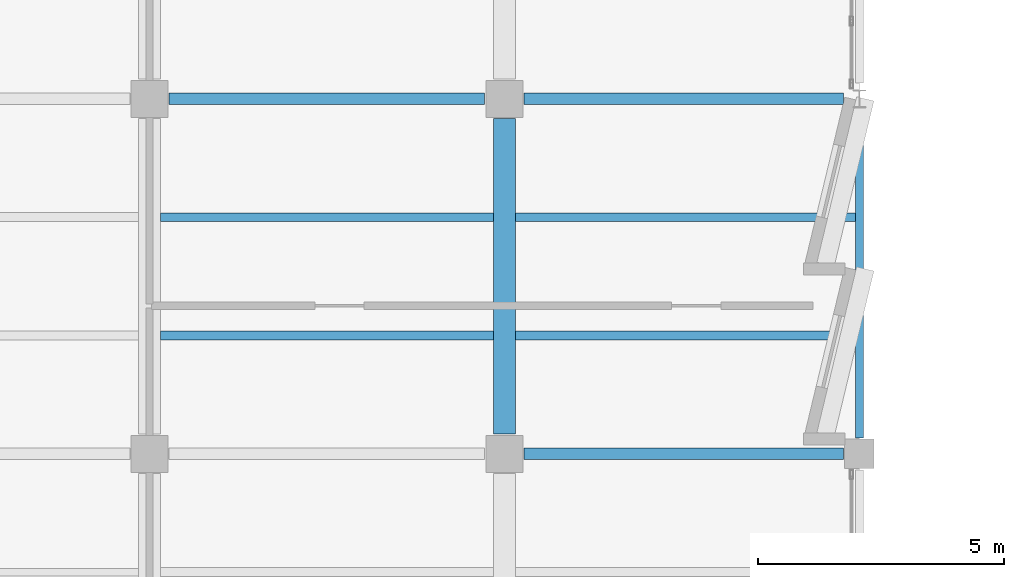
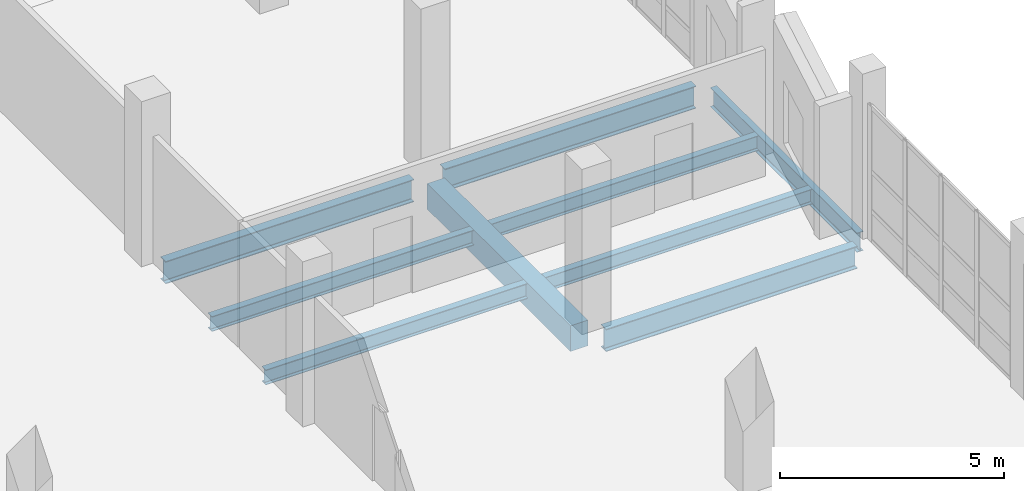
# One storey, part 43 of 123: 9 beams.
"""IFC4 building model written with IfcOpenShell, lengths in metres."""

from ifc_helpers import new_model, si_unit, direction, frame, origin, origin_2d, place, context, subcontext, project, spatial, rectangle, i_section, extrude, material, material_profile, profile_set, type_object, element, save


model = new_model("IFC4")

# Units and contexts
model_context = context("Model", 3, precision=1e-05, world=origin(), true_north=direction((0.0, 1.0)))
body_context = subcontext(model_context, "Body", "Model", "MODEL_VIEW")
ifc_project = project(units=[si_unit("LENGTHUNIT", "METRE"), si_unit("AREAUNIT", "SQUARE_METRE"), si_unit("VOLUMEUNIT", "CUBIC_METRE"), si_unit("PLANEANGLEUNIT", "RADIAN"), si_unit("MASSUNIT", "GRAM", prefix="KILO")], contexts=[model_context])

# Site, building, storey
site_placement = place(None, origin())
site = spatial("IfcSite", under=ifc_project, at=site_placement, CompositionType="ELEMENT")
building_placement = place(site_placement, origin())
building = spatial("IfcBuilding", under=site, at=building_placement, Name="Kalmorath City Hall", CompositionType="ELEMENT")
storey_placement = place(building_placement, frame((0.0, 0.0, 10.199951171875)))
storey = spatial("IfcBuildingStorey", under=building, at=storey_placement, Name="L02", CompositionType="ELEMENT", Elevation=10.199951171875)

# Beams
ifc_material_1 = material(Name="Concrete C40/50", Category="concrete")
ifc_material_profile_1 = material_profile(ifc_material_1, rectangle(XDim=0.449951171875, YDim=0.699951171875, at=origin_2d()), Name="RC-BM-450X700")
ifc_profile_set_1 = profile_set([ifc_material_profile_1], Name="Concrete C40/50")
beam_type_1 = type_object("IfcBeamType", Name="Concrete floor beam 450x700", PredefinedType="BEAM", material=ifc_profile_set_1)
beam_1_placement = place(storey_placement, frame((21.60009765625, 72.39990234375, -0.634033203125), z_axis=(0.0, 1.0, 0.0), x_axis=(-1.0, 0.0, 0.0)))
element("IfcBeam", 1, at=beam_1_placement, inside=storey, type_object=beam_type_1, Name="L02 girder CB4 Y4/11-12", PredefinedType="BEAM", context=body_context, shape_type="SweptSolid", body=[
    extrude(rectangle(XDim=0.449951171875, YDim=0.699951171875, at=origin_2d()), origin(), (0.0, 0.0, 1.0), 6.400146484375),
])
ifc_material_2 = material(Name="Steel ASTM A992 Grade 50", Category="steel")
ifc_material_profile_2 = material_profile(ifc_material_2, i_section(OverallWidth=0.177001953125, OverallDepth=0.403076171875, WebThickness=0.007568359375, FlangeThickness=0.010986328125, FilletRadius=0.012939453125, at=origin_2d()), Name="W16X36")
ifc_profile_set_2 = profile_set([ifc_material_profile_2], Name="Steel ASTM A992 Grade 50")
beam_type_2 = type_object("IfcBeamType", Name="Steel composite joist W16X36", PredefinedType="JOIST", material=ifc_profile_set_2)
for number, where, z_axis, x_axis, name in (
    (2, (21.824951171875, 74.39990234375, -0.4853515625), (1.0, 0.0, 0.0), (0.0, 1.0, 0.0), "L02 joist SJ7 4.11.1"),
    (3, (21.824951171875, 76.800048828125, -0.4853515625), (1.0, 0.0, 0.0), (0.0, 1.0, 0.0), "L02 joist SJ7 4.11.2"),
):
    element("IfcBeam", number, at=place(storey_placement, frame(where, z_axis=z_axis, x_axis=x_axis)), inside=storey, type_object=beam_type_2, Name=name, PredefinedType="JOIST", context=body_context, shape_type="SweptSolid", body=[
        extrude(i_section(OverallWidth=0.177001953125, OverallDepth=0.403076171875, WebThickness=0.007568359375, FlangeThickness=0.010986328125, FilletRadius=0.012939453125, at=origin_2d()), origin(), (0.0, 0.0, 1.0), 6.892578125),
    ])
ifc_material_3 = material(Name="Steel ASTM A992 Grade 50", Category="steel")
ifc_material_profile_3 = material_profile(ifc_material_3, i_section(OverallWidth=0.178955078125, OverallDepth=0.409912109375, WebThickness=0.0087890625, FlangeThickness=0.014404296875, FilletRadius=0.012939453125, at=origin_2d()), Name="W16X45")
ifc_profile_set_3 = profile_set([ifc_material_profile_3], Name="Steel ASTM A992 Grade 50")
beam_type_3 = type_object("IfcBeamType", Name="Steel composite joist W16X45", PredefinedType="JOIST", material=ifc_profile_set_3)
for number, where, z_axis, x_axis, name in (
    (4, (14.625, 74.39990234375, -0.489013671875), (1.0, 0.0, 0.0), (0.0, 1.0, 0.0), "L02 joist SJ6 3.11.1"),
    (5, (14.625, 76.800048828125, -0.489013671875), (1.0, 0.0, 0.0), (0.0, 1.0, 0.0), "L02 joist SJ6 3.11.2"),
):
    element("IfcBeam", number, at=place(storey_placement, frame(where, z_axis=z_axis, x_axis=x_axis)), inside=storey, type_object=beam_type_3, Name=name, PredefinedType="JOIST", context=body_context, shape_type="SweptSolid", body=[
        extrude(i_section(OverallWidth=0.178955078125, OverallDepth=0.409912109375, WebThickness=0.0087890625, FlangeThickness=0.014404296875, FilletRadius=0.012939453125, at=origin_2d()), origin(), (0.0, 0.0, 1.0), 6.75),
    ])
ifc_material_4 = material(Name="Steel ASTM A992 Grade 50", Category="steel")
ifc_material_profile_4 = material_profile(ifc_material_4, i_section(OverallWidth=0.22900390625, OverallDepth=0.612060546875, WebThickness=0.011962890625, FlangeThickness=0.01953125, FilletRadius=0.01611328125, at=origin_2d()), Name="W24X84")
ifc_profile_set_4 = profile_set([ifc_material_profile_4], Name="Steel ASTM A992 Grade 50")
beam_type_4 = type_object("IfcBeamType", Name="Steel floor girder W24X84", PredefinedType="BEAM", material=ifc_profile_set_4)
beam_2_placement = place(storey_placement, frame((22.0, 72.0, -0.58984375), z_axis=(1.0, 0.0, 0.0), x_axis=(0.0, 1.0, 0.0)))
element("IfcBeam", 6, at=beam_2_placement, inside=storey, type_object=beam_type_4, Name="L02 girder SG8 X4-5/11", PredefinedType="BEAM", context=body_context, shape_type="SweptSolid", body=[
    extrude(i_section(OverallWidth=0.22900390625, OverallDepth=0.612060546875, WebThickness=0.011962890625, FlangeThickness=0.01953125, FilletRadius=0.01611328125, at=origin_2d()), origin(), (0.0, 0.0, 1.0), 6.47509765625),
])
beam_3_placement = place(storey_placement, frame((14.800048828125, 79.199951171875, -0.58984375), z_axis=(1.0, 0.0, 0.0), x_axis=(0.0, 1.0, 0.0)))
element("IfcBeam", 7, at=beam_3_placement, inside=storey, type_object=beam_type_4, Name="L02 girder SG8 X3-4/12", PredefinedType="BEAM", context=body_context, shape_type="SweptSolid", body=[
    extrude(i_section(OverallWidth=0.22900390625, OverallDepth=0.612060546875, WebThickness=0.011962890625, FlangeThickness=0.01953125, FilletRadius=0.01611328125, at=origin_2d()), origin(), (0.0, 0.0, 1.0), 6.39990234375),
])
beam_4_placement = place(storey_placement, frame((22.0, 79.199951171875, -0.58984375), z_axis=(1.0, 0.0, 0.0), x_axis=(0.0, 1.0, 0.0)))
element("IfcBeam", 8, at=beam_4_placement, inside=storey, type_object=beam_type_4, Name="L02 girder SG8 X4-5/12", PredefinedType="BEAM", context=body_context, shape_type="SweptSolid", body=[
    extrude(i_section(OverallWidth=0.22900390625, OverallDepth=0.612060546875, WebThickness=0.011962890625, FlangeThickness=0.01953125, FilletRadius=0.01611328125, at=origin_2d()), origin(), (0.0, 0.0, 1.0), 6.47509765625),
])
ifc_material_5 = material(Name="Steel ASTM A992 Grade 50", Category="steel")
ifc_material_profile_5 = material_profile(ifc_material_5, i_section(OverallWidth=0.1650390625, OverallDepth=0.52490234375, WebThickness=0.0087890625, FlangeThickness=0.011474609375, FilletRadius=0.014892578125, at=origin_2d()), Name="W21X44")
ifc_profile_set_5 = profile_set([ifc_material_profile_5], Name="Steel ASTM A992 Grade 50")
beam_type_5 = type_object("IfcBeamType", Name="Steel spandrel beam W21X44", PredefinedType="SPANDREL", material=ifc_profile_set_5)
beam_5_placement = place(storey_placement, frame((28.800048828125, 72.324951171875, -0.54638671875), z_axis=(0.0, 1.0, 0.0), x_axis=(-1.0, 0.0, 0.0)))
element("IfcBeam", 9, at=beam_5_placement, inside=storey, type_object=beam_type_5, Name="L02 girder SB4 Y5/11-12", PredefinedType="SPANDREL", context=body_context, shape_type="SweptSolid", body=[
    extrude(i_section(OverallWidth=0.1650390625, OverallDepth=0.52490234375, WebThickness=0.0087890625, FlangeThickness=0.011474609375, FilletRadius=0.014892578125, at=origin_2d()), origin(), (0.0, 0.0, 1.0), 6.550048828125),
])

save(model, "model.ifc")
